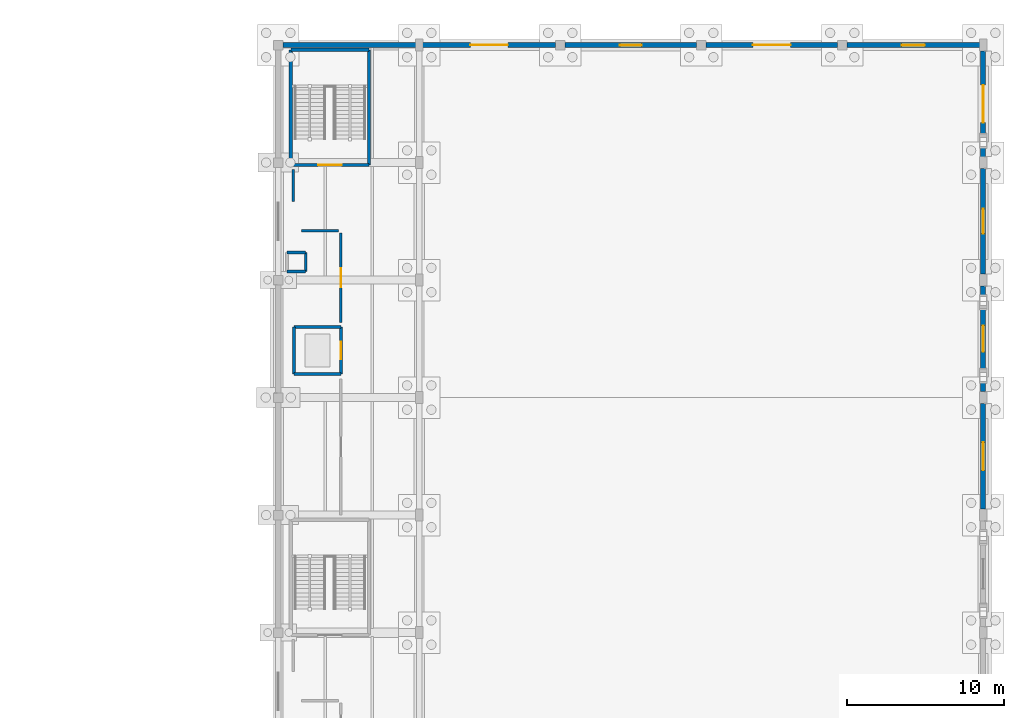
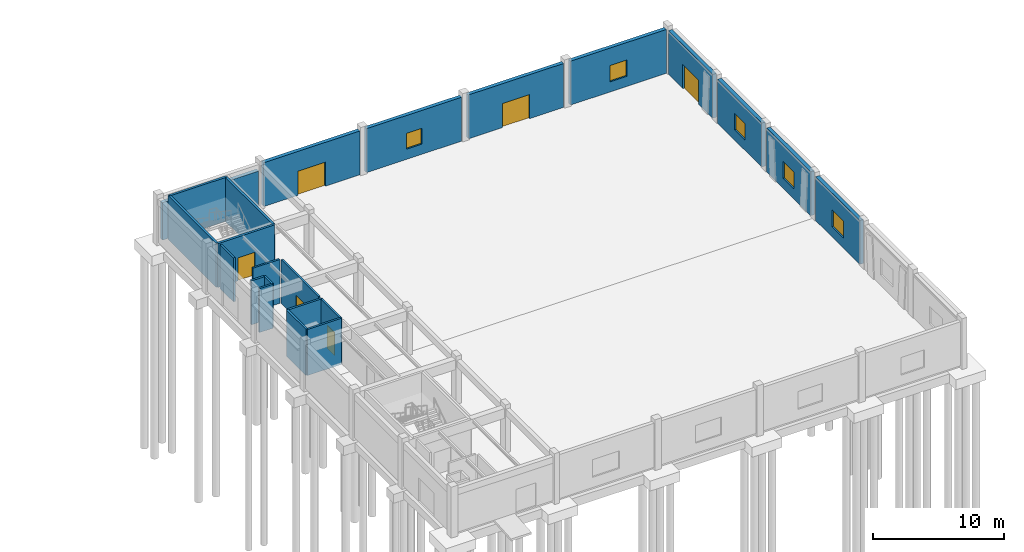
# One storey, part 88 of 93: 23 walls, 6 doors, 5 windows, 11 openings.
"""IFC4 building model written with IfcOpenShell, lengths in metres."""

from ifc_helpers import new_model, si_unit, direction, frame, frame_2d, origin, place, context, subcontext, project, spatial, rectangle, extrude, material, layer, layer_set, type_object, element, fill, save


model = new_model("IFC4")

# Units and contexts
model_context = context("Model", 3, precision=1e-05, world=origin(), true_north=direction((0.0, 1.0)))
body_context = subcontext(model_context, "Body", "Model", "MODEL_VIEW")
ifc_project = project(units=[si_unit("LENGTHUNIT", "METRE"), si_unit("AREAUNIT", "SQUARE_METRE"), si_unit("VOLUMEUNIT", "CUBIC_METRE"), si_unit("PLANEANGLEUNIT", "RADIAN"), si_unit("MASSUNIT", "GRAM", prefix="KILO")], contexts=[model_context])

# Site, building, storey
site_placement = place(None, origin())
site = spatial("IfcSite", under=ifc_project, at=site_placement, CompositionType="ELEMENT")
building_placement = place(site_placement, origin())
building = spatial("IfcBuilding", under=site, at=building_placement, Name="Marnridge Secondary College", CompositionType="ELEMENT")
storey_placement = place(building_placement, origin())
storey = spatial("IfcBuildingStorey", under=building, at=storey_placement, Name="L00", CompositionType="ELEMENT", Elevation=0.0)

# Wall, opening, door
ifc_material_1 = material(Name="Concrete C40/50 (AS 3600 N40, 40 MPa)", Category="concrete")
ifc_layer_1 = layer(ifc_material_1, 0.199951171875)
ifc_layer_set_1 = layer_set([ifc_layer_1], Name="WT-CORE-RC200")
wall_type_1 = type_object("IfcWallType", Name="WT-CORE-RC200", PredefinedType="SHEAR", material=ifc_layer_set_1)
wall_1_placement = place(storey_placement, frame((131.800048828125, 112.35009765625, 0.0), z_axis=(0.0, 0.0, 1.0), x_axis=(-1.0, 0.0, 0.0)))
wall_1 = element("IfcWall", 1, at=wall_1_placement, inside=storey, type_object=wall_type_1, Name="Stair core shear wall WC-L00-0401", PredefinedType="SHEAR", context=body_context, shape_type="SweptSolid", body=[
    extrude(rectangle(XDim=5.0, YDim=0.199951171875, at=frame_2d((2.5, 0.0))), origin(), (0.0, 0.0, 1.0), 4.10009765625),
])
opening_1_placement = place(wall_1_placement, frame((1.75, 0.0, 0.0)))
opening_1 = element("IfcOpeningElement", 2, at=opening_1_placement, cuts=wall_1, Name="Opening DC-L00-039", PredefinedType="OPENING", context=body_context, shape_type="SweptSolid", body=[
    extrude(rectangle(XDim=1.5, YDim=2.14990234375, at=frame_2d((0.75, 1.074951171875))), frame((0.0, 0.10986328125, 0.0), z_axis=(0.0, -1.0, 0.0), x_axis=(1.0, 0.0, 0.0)), (0.0, 0.0, 1.0), 0.219970703125),
])
ifc_material_2 = material(Name="Fire-rated solid-core timber doorset", Category="wood")
door_type_1 = type_object("IfcDoorType", Name="DT-CORE-FD150", OperationType="DOUBLE_DOOR_SINGLE_SWING", PredefinedType="DOOR", material=ifc_material_2)
door_1_placement = place(opening_1_placement, origin())
door_1 = element("IfcDoor", 3, at=door_1_placement, inside=storey, type_object=door_type_1, Name="Fire stair door DC-L00-039", OperationType="DOUBLE_DOOR_SINGLE_SWING", OverallHeight=2.14990234375, OverallWidth=1.5, PredefinedType="DOOR", context=body_context, shape_type="SweptSolid", body=[
    extrude(rectangle(XDim=1.5, YDim=2.14990234375, at=frame_2d((0.75, 1.074951171875))), frame((0.0, 0.02490234375, 0.0), z_axis=(0.0, -1.0, 0.0), x_axis=(1.0, 0.0, 0.0)), (0.0, 0.0, 1.0), 0.050048828125),
])
fill(opening_1, door_1)

# Walls
wall_2_placement = place(storey_placement, frame((131.800048828125, 112.35009765625, 0.0), z_axis=(0.0, 0.0, 1.0), x_axis=(0.0, 1.0, 0.0)))
element("IfcWall", 4, at=wall_2_placement, inside=storey, type_object=wall_type_1, Name="Stair core shear wall WC-L00-0402", PredefinedType="SHEAR", context=body_context, shape_type="SweptSolid", body=[
    extrude(rectangle(XDim=7.349853515625, YDim=0.199951171875, at=frame_2d((3.6748046875, 0.0))), origin(), (0.0, 0.0, 1.0), 4.10009765625),
])
wall_3_placement = place(storey_placement, frame((131.800048828125, 119.699951171875, 0.0), z_axis=(0.0, 0.0, 1.0), x_axis=(-1.0, 0.0, 0.0)))
element("IfcWall", 5, at=wall_3_placement, inside=storey, type_object=wall_type_1, Name="Stair core shear wall WC-L00-0403", PredefinedType="SHEAR", context=body_context, shape_type="SweptSolid", body=[
    extrude(rectangle(XDim=5.0, YDim=0.199951171875, at=frame_2d((2.5, 0.0))), origin(), (0.0, 0.0, 1.0), 4.10009765625),
])
wall_4_placement = place(storey_placement, frame((126.800048828125, 119.699951171875, 0.0), z_axis=(0.0, 0.0, 1.0), x_axis=(0.0, -1.0, 0.0)))
element("IfcWall", 6, at=wall_4_placement, inside=storey, type_object=wall_type_1, Name="Stair core shear wall WC-L00-0404", PredefinedType="SHEAR", context=body_context, shape_type="SweptSolid", body=[
    extrude(rectangle(XDim=7.349853515625, YDim=0.199951171875, at=frame_2d((3.6748046875, 0.0))), origin(), (0.0, 0.0, 1.0), 4.10009765625),
])
ifc_material_3 = material(Name="Concrete C40/50 (AS 3600 N40, 40 MPa)", Category="concrete")
ifc_layer_2 = layer(ifc_material_3, 0.320068359375)
ifc_layer_set_2 = layer_set([ifc_layer_2], Name="WT-EXT-RC320")
wall_type_2 = type_object("IfcWallType", Name="WT-EXT-RC320", PredefinedType="SOLIDWALL", material=ifc_layer_set_2)
wall_5_placement = place(storey_placement, frame((126.2958984375, 120.0, 0.0), z_axis=(0.0, 0.0, 1.0), x_axis=(1.0, 0.0, 0.0)))
element("IfcWall", 7, at=wall_5_placement, inside=storey, type_object=wall_type_2, Name="Exterior wall WE-L00-0013", PredefinedType="SOLIDWALL", context=body_context, shape_type="SweptSolid", body=[
    extrude(rectangle(XDim=8.483154296875, YDim=0.320068359375, at=frame_2d((4.24169921875, 0.0))), origin(), (0.0, 0.0, 1.0), 3.491943359375),
])

# Wall, opening, door
wall_6_placement = place(storey_placement, frame((135.220947265625, 120.0, 0.0), z_axis=(0.0, 0.0, 1.0), x_axis=(1.0, 0.0, 0.0)))
wall_6 = element("IfcWall", 8, at=wall_6_placement, inside=storey, type_object=wall_type_2, Name="Exterior wall WE-L00-0014", PredefinedType="SOLIDWALL", context=body_context, shape_type="SweptSolid", body=[
    extrude(rectangle(XDim=8.483154296875, YDim=0.320068359375, at=frame_2d((4.24169921875, 0.0))), origin(), (0.0, 0.0, 1.0), 4.10009765625),
])
opening_2_placement = place(wall_6_placement, frame((3.04150390625, 0.0, 0.0)))
opening_2 = element("IfcOpeningElement", 9, at=opening_2_placement, cuts=wall_6, Name="Opening DE-L00-006", PredefinedType="OPENING", context=body_context, shape_type="SweptSolid", body=[
    extrude(rectangle(XDim=2.39990234375, YDim=2.25, at=frame_2d((1.199951171875, 1.125))), frame((0.0, 0.169921875, 0.0), z_axis=(0.0, -1.0, 0.0), x_axis=(1.0, 0.0, 0.0)), (0.0, 0.0, 1.0), 0.340087890625),
])
ifc_material_4 = material(Name="Thermally broken aluminium and toughened glass", Category="aluminium")
door_type_2 = type_object("IfcDoorType", Name="DT-EXT-EXIT240", OperationType="DOUBLE_DOOR_SINGLE_SWING", PredefinedType="DOOR", material=ifc_material_4)
door_2_placement = place(opening_2_placement, origin())
door_2 = element("IfcDoor", 10, at=door_2_placement, inside=storey, type_object=door_type_2, Name="Civic entrance exit door DE-L00-006", OperationType="DOUBLE_DOOR_SINGLE_SWING", OverallHeight=2.25, OverallWidth=2.39990234375, PredefinedType="DOOR", context=body_context, shape_type="SweptSolid", body=[
    extrude(rectangle(XDim=2.39990234375, YDim=2.25, at=frame_2d((1.199951171875, 1.125))), frame((0.0, 0.02490234375, 0.0), z_axis=(0.0, -1.0, 0.0), x_axis=(1.0, 0.0, 0.0)), (0.0, 0.0, 1.0), 0.050048828125),
])
fill(opening_2, door_2)

# Wall, opening, window
wall_7_placement = place(storey_placement, frame((144.2958984375, 120.0, 0.0), z_axis=(0.0, 0.0, 1.0), x_axis=(1.0, 0.0, 0.0)))
wall_7 = element("IfcWall", 11, at=wall_7_placement, inside=storey, type_object=wall_type_2, Name="Exterior wall WE-L00-0015", PredefinedType="SOLIDWALL", context=body_context, shape_type="SweptSolid", body=[
    extrude(rectangle(XDim=8.408203125, YDim=0.320068359375, at=frame_2d((4.2041015625, 0.0))), origin(), (0.0, 0.0, 1.0), 4.10009765625),
])
opening_3_placement = place(wall_7_placement, frame((3.513916015625, 0.0, 0.949951171875)))
opening_3 = element("IfcOpeningElement", 12, at=opening_3_placement, cuts=wall_7, Name="Opening WN-L00-0003", PredefinedType="OPENING", context=body_context, shape_type="SweptSolid", body=[
    extrude(rectangle(XDim=1.3798828125, YDim=1.47998046875, at=frame_2d((0.68994140625, 0.739990234375))), frame((0.0, 0.169921875, 0.0), z_axis=(0.0, -1.0, 0.0), x_axis=(1.0, 0.0, 0.0)), (0.0, 0.0, 1.0), 0.340087890625),
])
ifc_material_5 = material(Name="Solar-control low-E double glazing", Category="glass")
window_type_1 = type_object("IfcWindowType", Name="WN-EXT-V03", PartitioningType="DOUBLE_PANEL_VERTICAL", PredefinedType="WINDOW", material=ifc_material_5)
window_1_placement = place(opening_3_placement, origin())
window_1 = element("IfcWindow", 13, at=window_1_placement, inside=storey, type_object=window_type_1, Name="Facade window WN-L00-0003", OverallHeight=1.47998046875, OverallWidth=1.3798828125, PartitioningType="DOUBLE_PANEL_VERTICAL", PredefinedType="WINDOW", context=body_context, shape_type="SweptSolid", body=[
    extrude(rectangle(XDim=1.3798828125, YDim=1.47998046875, at=frame_2d((0.68994140625, 0.739990234375))), frame((0.0, 0.030029296875, 0.0), z_axis=(0.0, -1.0, 0.0), x_axis=(1.0, 0.0, 0.0)), (0.0, 0.0, 1.0), 0.06005859375),
])
fill(opening_3, window_1)

# Wall, opening, door
wall_8_placement = place(storey_placement, frame((153.2958984375, 120.0, 0.0), z_axis=(0.0, 0.0, 1.0), x_axis=(1.0, 0.0, 0.0)))
wall_8 = element("IfcWall", 14, at=wall_8_placement, inside=storey, type_object=wall_type_2, Name="Exterior wall WE-L00-0016", PredefinedType="SOLIDWALL", context=body_context, shape_type="SweptSolid", body=[
    extrude(rectangle(XDim=8.408203125, YDim=0.320068359375, at=frame_2d((4.2041015625, 0.0))), origin(), (0.0, 0.0, 1.0), 4.10009765625),
])
opening_4_placement = place(wall_8_placement, frame((3.00390625, 0.0, 0.0)))
opening_4 = element("IfcOpeningElement", 15, at=opening_4_placement, cuts=wall_8, Name="Opening DE-L00-007", PredefinedType="OPENING", context=body_context, shape_type="SweptSolid", body=[
    extrude(rectangle(XDim=2.39990234375, YDim=2.25, at=frame_2d((1.199951171875, 1.125))), frame((0.0, 0.169921875, 0.0), z_axis=(0.0, -1.0, 0.0), x_axis=(1.0, 0.0, 0.0)), (0.0, 0.0, 1.0), 0.340087890625),
])
door_3_placement = place(opening_4_placement, origin())
door_3 = element("IfcDoor", 16, at=door_3_placement, inside=storey, type_object=door_type_2, Name="Civic entrance exit door DE-L00-007", OperationType="DOUBLE_DOOR_SINGLE_SWING", OverallHeight=2.25, OverallWidth=2.39990234375, PredefinedType="DOOR", context=body_context, shape_type="SweptSolid", body=[
    extrude(rectangle(XDim=2.39990234375, YDim=2.25, at=frame_2d((1.199951171875, 1.125))), frame((0.0, 0.02490234375, 0.0), z_axis=(0.0, -1.0, 0.0), x_axis=(1.0, 0.0, 0.0)), (0.0, 0.0, 1.0), 0.050048828125),
])
fill(opening_4, door_3)

# Wall, opening, window
wall_9_placement = place(storey_placement, frame((162.2958984375, 120.0, 0.0), z_axis=(0.0, 0.0, 1.0), x_axis=(1.0, 0.0, 0.0)))
wall_9 = element("IfcWall", 17, at=wall_9_placement, inside=storey, type_object=wall_type_2, Name="Exterior wall WE-L00-0017", PredefinedType="SOLIDWALL", context=body_context, shape_type="SweptSolid", body=[
    extrude(rectangle(XDim=8.483154296875, YDim=0.320068359375, at=frame_2d((4.24169921875, 0.0))), origin(), (0.0, 0.0, 1.0), 4.10009765625),
])
opening_5_placement = place(wall_9_placement, frame((3.50146484375, 0.0, 0.949951171875)))
opening_5 = element("IfcOpeningElement", 18, at=opening_5_placement, cuts=wall_9, Name="Opening WN-L00-0004", PredefinedType="OPENING", context=body_context, shape_type="SweptSolid", body=[
    extrude(rectangle(XDim=1.47998046875, YDim=1.52001953125, at=frame_2d((0.739990234375, 0.760009765625))), frame((0.0, 0.169921875, 0.0), z_axis=(0.0, -1.0, 0.0), x_axis=(1.0, 0.0, 0.0)), (0.0, 0.0, 1.0), 0.340087890625),
])
ifc_material_6 = material(Name="Solar-control low-E double glazing", Category="glass")
window_type_2 = type_object("IfcWindowType", Name="WN-EXT-V04", PartitioningType="DOUBLE_PANEL_VERTICAL", PredefinedType="WINDOW", material=ifc_material_6)
window_2_placement = place(opening_5_placement, origin())
window_2 = element("IfcWindow", 19, at=window_2_placement, inside=storey, type_object=window_type_2, Name="Facade window WN-L00-0004", OverallHeight=1.52001953125, OverallWidth=1.47998046875, PartitioningType="DOUBLE_PANEL_VERTICAL", PredefinedType="WINDOW", context=body_context, shape_type="SweptSolid", body=[
    extrude(rectangle(XDim=1.47998046875, YDim=1.52001953125, at=frame_2d((0.739990234375, 0.760009765625))), frame((0.0, 0.030029296875, 0.0), z_axis=(0.0, -1.0, 0.0), x_axis=(1.0, 0.0, 0.0)), (0.0, 0.0, 1.0), 0.06005859375),
])
fill(opening_5, window_2)

# Wall, opening, door
wall_10_placement = place(storey_placement, frame((171.0, 119.62890625, 0.0), z_axis=(0.0, 0.0, 1.0), x_axis=(0.0, -1.0, 0.0)))
wall_10 = element("IfcWall", 20, at=wall_10_placement, inside=storey, type_object=wall_type_2, Name="Exterior wall WE-L00-0018", PredefinedType="SOLIDWALL", context=body_context, shape_type="SweptSolid", body=[
    extrude(rectangle(XDim=6.7578125, YDim=0.320068359375, at=frame_2d((3.37890625, 0.0))), origin(), (0.0, 0.0, 1.0), 4.10009765625),
])
opening_6_placement = place(wall_10_placement, frame((2.178955078125, 0.0, 0.0)))
opening_6 = element("IfcOpeningElement", 21, at=opening_6_placement, cuts=wall_10, Name="Opening DE-L00-008", PredefinedType="OPENING", context=body_context, shape_type="SweptSolid", body=[
    extrude(rectangle(XDim=2.39990234375, YDim=2.25, at=frame_2d((1.199951171875, 1.125))), frame((0.0, 0.169921875, 0.0), z_axis=(0.0, -1.0, 0.0), x_axis=(1.0, 0.0, 0.0)), (0.0, 0.0, 1.0), 0.340087890625),
])
door_4_placement = place(opening_6_placement, origin())
door_4 = element("IfcDoor", 22, at=door_4_placement, inside=storey, type_object=door_type_2, Name="Civic entrance exit door DE-L00-008", OperationType="DOUBLE_DOOR_SINGLE_SWING", OverallHeight=2.25, OverallWidth=2.39990234375, PredefinedType="DOOR", context=body_context, shape_type="SweptSolid", body=[
    extrude(rectangle(XDim=2.39990234375, YDim=2.25, at=frame_2d((1.199951171875, 1.125))), frame((0.0, 0.02490234375, 0.0), z_axis=(0.0, -1.0, 0.0), x_axis=(1.0, 0.0, 0.0)), (0.0, 0.0, 1.0), 0.050048828125),
])
fill(opening_6, door_4)

# Wall, opening, window
wall_11_placement = place(storey_placement, frame((171.0, 112.12890625, 0.0), z_axis=(0.0, 0.0, 1.0), x_axis=(0.0, -1.0, 0.0)))
wall_11 = element("IfcWall", 23, at=wall_11_placement, inside=storey, type_object=wall_type_2, Name="Exterior wall WE-L00-0019", PredefinedType="SOLIDWALL", context=body_context, shape_type="SweptSolid", body=[
    extrude(rectangle(XDim=6.7578125, YDim=0.320068359375, at=frame_2d((3.37890625, 0.0))), origin(), (0.0, 0.0, 1.0), 4.10009765625),
])
opening_7_placement = place(wall_11_placement, frame((2.589111328125, 0.0, 0.949951171875)))
opening_7 = element("IfcOpeningElement", 24, at=opening_7_placement, cuts=wall_11, Name="Opening WN-L00-0005", PredefinedType="OPENING", context=body_context, shape_type="SweptSolid", body=[
    extrude(rectangle(XDim=1.580078125, YDim=1.56005859375, at=frame_2d((0.7900390625, 0.780029296875))), frame((0.0, 0.169921875, 0.0), z_axis=(0.0, -1.0, 0.0), x_axis=(1.0, 0.0, 0.0)), (0.0, 0.0, 1.0), 0.340087890625),
])
ifc_material_7 = material(Name="Solar-control low-E double glazing", Category="glass")
window_type_3 = type_object("IfcWindowType", Name="WN-EXT-V05", PartitioningType="DOUBLE_PANEL_VERTICAL", PredefinedType="WINDOW", material=ifc_material_7)
window_3_placement = place(opening_7_placement, origin())
window_3 = element("IfcWindow", 25, at=window_3_placement, inside=storey, type_object=window_type_3, Name="Facade window WN-L00-0005", OverallHeight=1.56005859375, OverallWidth=1.580078125, PartitioningType="DOUBLE_PANEL_VERTICAL", PredefinedType="WINDOW", context=body_context, shape_type="SweptSolid", body=[
    extrude(rectangle(XDim=1.580078125, YDim=1.56005859375, at=frame_2d((0.7900390625, 0.780029296875))), frame((0.0, 0.030029296875, 0.0), z_axis=(0.0, -1.0, 0.0), x_axis=(1.0, 0.0, 0.0)), (0.0, 0.0, 1.0), 0.06005859375),
])
fill(opening_7, window_3)

wall_12_placement = place(storey_placement, frame((171.0, 104.62890625, 0.0), z_axis=(0.0, 0.0, 1.0), x_axis=(0.0, -1.0, 0.0)))
wall_12 = element("IfcWall", 26, at=wall_12_placement, inside=storey, type_object=wall_type_2, Name="Exterior wall WE-L00-0020", PredefinedType="SOLIDWALL", context=body_context, shape_type="SweptSolid", body=[
    extrude(rectangle(XDim=6.7578125, YDim=0.320068359375, at=frame_2d((3.37890625, 0.0))), origin(), (0.0, 0.0, 1.0), 4.10009765625),
])
opening_8_placement = place(wall_12_placement, frame((2.5390625, 0.0, 0.949951171875)))
opening_8 = element("IfcOpeningElement", 27, at=opening_8_placement, cuts=wall_12, Name="Opening WN-L00-0006", PredefinedType="OPENING", context=body_context, shape_type="SweptSolid", body=[
    extrude(rectangle(XDim=1.679931640625, YDim=1.580078125, at=frame_2d((0.83984375, 0.7900390625))), frame((0.0, 0.169921875, 0.0), z_axis=(0.0, -1.0, 0.0), x_axis=(1.0, 0.0, 0.0)), (0.0, 0.0, 1.0), 0.340087890625),
])
ifc_material_8 = material(Name="Solar-control low-E double glazing", Category="glass")
window_type_4 = type_object("IfcWindowType", Name="WN-EXT-V06", PartitioningType="DOUBLE_PANEL_VERTICAL", PredefinedType="WINDOW", material=ifc_material_8)
window_4_placement = place(opening_8_placement, origin())
window_4 = element("IfcWindow", 28, at=window_4_placement, inside=storey, type_object=window_type_4, Name="Facade window WN-L00-0006", OverallHeight=1.580078125, OverallWidth=1.679931640625, PartitioningType="DOUBLE_PANEL_VERTICAL", PredefinedType="WINDOW", context=body_context, shape_type="SweptSolid", body=[
    extrude(rectangle(XDim=1.679931640625, YDim=1.580078125, at=frame_2d((0.83984375, 0.7900390625))), frame((0.0, 0.030029296875, 0.0), z_axis=(0.0, -1.0, 0.0), x_axis=(1.0, 0.0, 0.0)), (0.0, 0.0, 1.0), 0.06005859375),
])
fill(opening_8, window_4)

wall_13_placement = place(storey_placement, frame((171.0, 97.12890625, 0.0), z_axis=(0.0, 0.0, 1.0), x_axis=(0.0, -1.0, 0.0)))
wall_13 = element("IfcWall", 29, at=wall_13_placement, inside=storey, type_object=wall_type_2, Name="Exterior wall WE-L00-0021", PredefinedType="SOLIDWALL", context=body_context, shape_type="SweptSolid", body=[
    extrude(rectangle(XDim=6.7578125, YDim=0.320068359375, at=frame_2d((3.37890625, 0.0))), origin(), (0.0, 0.0, 1.0), 4.10009765625),
])
opening_9_placement = place(wall_13_placement, frame((2.489013671875, 0.0, 0.949951171875)))
opening_9 = element("IfcOpeningElement", 30, at=opening_9_placement, cuts=wall_13, Name="Opening WN-L00-0007", PredefinedType="OPENING", context=body_context, shape_type="SweptSolid", body=[
    extrude(rectangle(XDim=1.780029296875, YDim=1.60009765625, at=frame_2d((0.89013671875, 0.800048828125))), frame((0.0, 0.169921875, 0.0), z_axis=(0.0, -1.0, 0.0), x_axis=(1.0, 0.0, 0.0)), (0.0, 0.0, 1.0), 0.340087890625),
])
ifc_material_9 = material(Name="Solar-control low-E double glazing", Category="glass")
window_type_5 = type_object("IfcWindowType", Name="WN-EXT-V07", PartitioningType="DOUBLE_PANEL_VERTICAL", PredefinedType="WINDOW", material=ifc_material_9)
window_5_placement = place(opening_9_placement, origin())
window_5 = element("IfcWindow", 31, at=window_5_placement, inside=storey, type_object=window_type_5, Name="Facade window WN-L00-0007", OverallHeight=1.60009765625, OverallWidth=1.780029296875, PartitioningType="DOUBLE_PANEL_VERTICAL", PredefinedType="WINDOW", context=body_context, shape_type="SweptSolid", body=[
    extrude(rectangle(XDim=1.780029296875, YDim=1.60009765625, at=frame_2d((0.89013671875, 0.800048828125))), frame((0.0, 0.030029296875, 0.0), z_axis=(0.0, -1.0, 0.0), x_axis=(1.0, 0.0, 0.0)), (0.0, 0.0, 1.0), 0.06005859375),
])
fill(opening_9, window_5)

# Walls
ifc_material_10 = material(Name="Acoustic plasterboard on twin steel Grade 350 framing Rw55", Category="steel")
ifc_layer_3 = layer(ifc_material_10, 0.1650390625)
ifc_layer_set_3 = layer_set([ifc_layer_3], Name="WT-PART-AC165")
wall_type_3 = type_object("IfcWallType", Name="WT-PART-AC165", PredefinedType="PARTITIONING", material=ifc_layer_set_3)
wall_14_placement = place(storey_placement, frame((129.840087890625, 108.14990234375, 0.0), z_axis=(0.0, 0.0, 1.0), x_axis=(-1.0, 0.0, 0.0)))
element("IfcWall", 32, at=wall_14_placement, inside=storey, type_object=wall_type_3, Name="Interior partition WP-L00-0032", PredefinedType="PARTITIONING", context=body_context, shape_type="SweptSolid", body=[
    extrude(rectangle(XDim=2.36181640625, YDim=0.1650390625, at=frame_2d((1.180908203125, 0.0))), origin(), (0.0, 0.0, 1.0), 4.10009765625),
])
wall_15_placement = place(storey_placement, frame((126.949951171875, 110.003662109375, 0.0), z_axis=(0.0, 0.0, 1.0), x_axis=(0.0, 1.0, 0.0)))
element("IfcWall", 33, at=wall_15_placement, inside=storey, type_object=wall_type_3, Name="Interior partition WP-L00-0033", PredefinedType="PARTITIONING", context=body_context, shape_type="SweptSolid", body=[
    extrude(rectangle(XDim=2.04638671875, YDim=0.1650390625, at=frame_2d((1.023193359375, 0.0))), origin(), (0.0, 0.0, 1.0), 4.10009765625),
])

# Wall, opening, door
wall_16_placement = place(storey_placement, frame((130.0, 102.300048828125, 0.0), z_axis=(0.0, 0.0, 1.0), x_axis=(0.0, 1.0, 0.0)))
wall_16 = element("IfcWall", 34, at=wall_16_placement, inside=storey, type_object=wall_type_3, Name="Interior partition WP-L00-0034", PredefinedType="PARTITIONING", context=body_context, shape_type="SweptSolid", body=[
    extrude(rectangle(XDim=5.68994140625, YDim=0.1650390625, at=frame_2d((2.844970703125, 0.0))), origin(), (0.0, 0.0, 1.0), 4.10009765625),
])
opening_10_placement = place(wall_16_placement, frame((2.2451171875, 0.0, 0.0)))
opening_10 = element("IfcOpeningElement", 35, at=opening_10_placement, cuts=wall_16, Name="Opening DI-L00-0013", PredefinedType="OPENING", context=body_context, shape_type="SweptSolid", body=[
    extrude(rectangle(XDim=1.199951171875, YDim=2.14990234375, at=frame_2d((0.60009765625, 1.074951171875))), frame((0.0, 0.092529296875, 0.0), z_axis=(0.0, -1.0, 0.0), x_axis=(1.0, 0.0, 0.0)), (0.0, 0.0, 1.0), 0.18505859375),
])
ifc_material_11 = material(Name="Galvanised steel Grade 350 plant-room fire doorset", Category="steel")
door_type_3 = type_object("IfcDoorType", Name="DT-PLT-120", OperationType="NOTDEFINED", PredefinedType="DOOR", material=ifc_material_11)
door_5_placement = place(opening_10_placement, origin())
door_5 = element("IfcDoor", 36, at=door_5_placement, inside=storey, type_object=door_type_3, Name="Interior door DI-L00-0013", OperationType="SINGLE_SWING_LEFT", OverallHeight=2.14990234375, OverallWidth=1.199951171875, PredefinedType="DOOR", context=body_context, shape_type="SweptSolid", body=[
    extrude(rectangle(XDim=1.199951171875, YDim=2.14990234375, at=frame_2d((0.60009765625, 1.074951171875))), frame((0.0, 0.02490234375, 0.0), z_axis=(0.0, -1.0, 0.0), x_axis=(1.0, 0.0, 0.0)), (0.0, 0.0, 1.0), 0.050048828125),
])
fill(opening_10, door_5)

# Walls
ifc_material_12 = material(Name="Concrete C40/50 (AS 3600 N40, 40 MPa)", Category="concrete")
ifc_layer_4 = layer(ifc_material_12, 0.179931640625)
ifc_layer_set_4 = layer_set([ifc_layer_4], Name="WT-SHAFT-RC180")
wall_type_4 = type_object("IfcWallType", Name="WT-SHAFT-RC180", PredefinedType="SHEAR", material=ifc_layer_set_4)
for number, where, z_axis, x_axis, name in (
    (37, (127.75, 105.550048828125, 0.0), (0.0, 0.0, 1.0), (-1.0, 0.0, 0.0), "Service riser shaft wall WR-L00-0017"),
    (38, (126.550048828125, 106.75, 0.0), (0.0, 0.0, 1.0), (1.0, 0.0, 0.0), "Service riser shaft wall WR-L00-0019"),
    (39, (127.75, 106.75, 0.0), (0.0, 0.0, 1.0), (0.0, -1.0, 0.0), "Service riser shaft wall WR-L00-0020"),
):
    element("IfcWall", number, at=place(storey_placement, frame(where, z_axis=z_axis, x_axis=x_axis)), inside=storey, type_object=wall_type_4, Name=name, PredefinedType="SHEAR", context=body_context, shape_type="SweptSolid", body=[
        extrude(rectangle(XDim=1.199951171875, YDim=0.179931640625, at=frame_2d((0.60009765625, 0.0))), origin(), (0.0, 0.0, 1.0), 4.10009765625),
    ])
for number, where, z_axis, x_axis, name in (
    (40, (130.0, 99.0, -0.199951171875), (0.0, 0.0, 1.0), (-1.0, 0.0, 0.0), "Lift shaft wall WL-L00-0481"),
    (41, (127.0, 99.0, -0.199951171875), (0.0, 0.0, 1.0), (0.0, 1.0, 0.0), "Lift shaft wall WL-L00-0482"),
    (42, (127.0, 102.0, -0.199951171875), (0.0, 0.0, 1.0), (1.0, 0.0, 0.0), "Lift shaft wall WL-L00-0483"),
):
    element("IfcWall", number, at=place(storey_placement, frame(where, z_axis=z_axis, x_axis=x_axis)), inside=storey, type_object=wall_type_4, Name=name, PredefinedType="SHEAR", context=body_context, shape_type="SweptSolid", body=[
        extrude(rectangle(XDim=3.0, YDim=0.179931640625, at=frame_2d((1.5, 0.0))), origin(), (0.0, 0.0, 1.0), 4.300048828125),
    ])

# Wall, opening, door
wall_17_placement = place(storey_placement, frame((130.0, 102.0, -0.199951171875), z_axis=(0.0, 0.0, 1.0), x_axis=(0.0, -1.0, 0.0)))
wall_17 = element("IfcWall", 43, at=wall_17_placement, inside=storey, type_object=wall_type_4, Name="Lift shaft wall WL-L00-0484", PredefinedType="SHEAR", context=body_context, shape_type="SweptSolid", body=[
    extrude(rectangle(XDim=3.0, YDim=0.179931640625, at=frame_2d((1.5, 0.0))), origin(), (0.0, 0.0, 1.0), 4.300048828125),
])
opening_11_placement = place(wall_17_placement, frame((0.949951171875, 0.0, 0.199951171875)))
opening_11 = element("IfcOpeningElement", 44, at=opening_11_placement, cuts=wall_17, Name="Opening LD-LC-05-L00", PredefinedType="OPENING", context=body_context, shape_type="SweptSolid", body=[
    extrude(rectangle(XDim=1.10009765625, YDim=2.14990234375, at=frame_2d((0.550048828125, 1.074951171875))), frame((0.0, 0.099853515625, 0.0), z_axis=(0.0, -1.0, 0.0), x_axis=(1.0, 0.0, 0.0)), (0.0, 0.0, 1.0), 0.199951171875),
])
ifc_material_13 = material(Name="Stainless steel Grade 350 automatic sliding lift landing doorset", Category="steel")
door_type_4 = type_object("IfcDoorType", Name="DT-LIFT-LD110", OperationType="SLIDING_TO_LEFT", PredefinedType="DOOR", material=ifc_material_13)
door_6_placement = place(opening_11_placement, origin())
door_6 = element("IfcDoor", 45, at=door_6_placement, inside=storey, type_object=door_type_4, Name="Sliding lift landing door LD-LC-05-L00", OperationType="SLIDING_TO_LEFT", OverallHeight=2.14990234375, OverallWidth=1.10009765625, PredefinedType="DOOR", context=body_context, shape_type="SweptSolid", body=[
    extrude(rectangle(XDim=1.10009765625, YDim=2.14990234375, at=frame_2d((0.550048828125, 1.074951171875))), frame((0.0, 0.02490234375, 0.0), z_axis=(0.0, -1.0, 0.0), x_axis=(1.0, 0.0, 0.0)), (0.0, 0.0, 1.0), 0.050048828125),
])
fill(opening_11, door_6)

save(model, "model.ifc")
